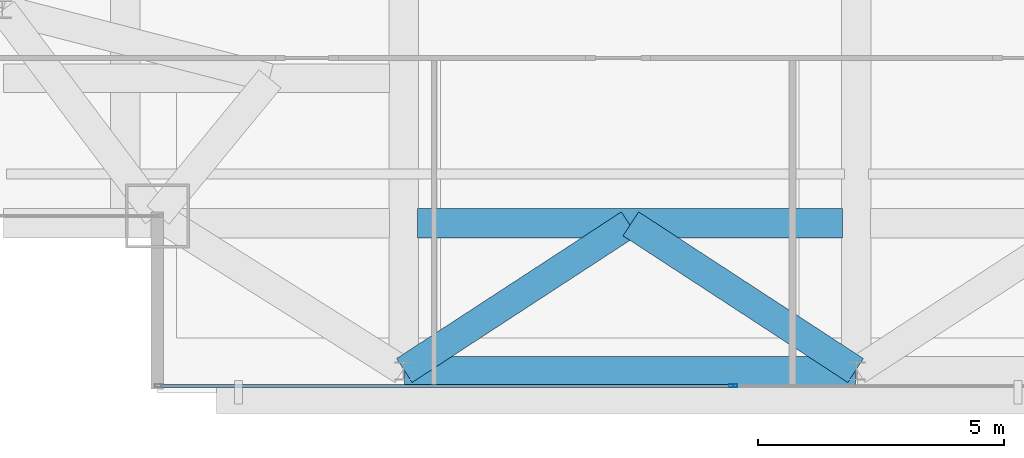
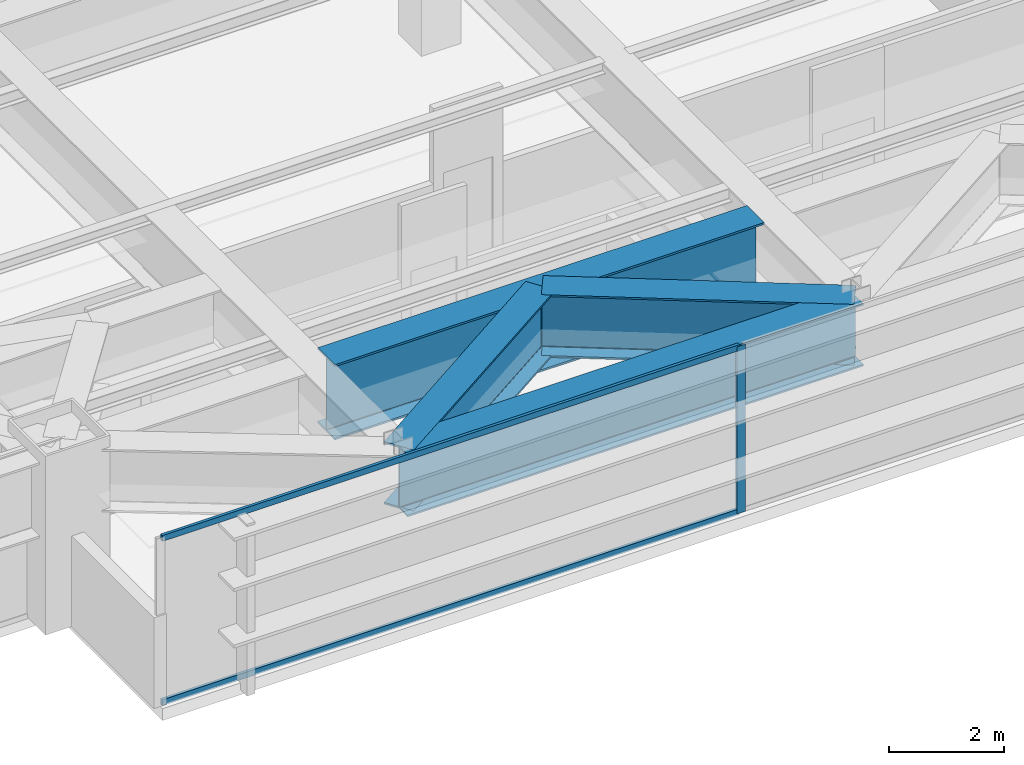
# One storey, part 5 of 26: 4 beams, 3 members, 1 element without a shape of its own.
"""IFC4 building model written with IfcOpenShell, lengths in metres."""

from ifc_helpers import new_model, si_unit, direction, frame, origin, origin_2d, place, context, subcontext, project, spatial, hollow_rectangle, i_section, extrude, source, transform, mapped, material, layer, layer_set, material_profile, profile_set, type_object, type_shapes, element, aggregate, save


model = new_model("IFC4")

# Units and contexts
model_context = context("Model", 3, precision=1e-05, world=origin(), true_north=direction((0.0, 1.0)))
body_context = subcontext(model_context, "Body", "Model", "MODEL_VIEW")
ifc_project = project(units=[si_unit("LENGTHUNIT", "METRE"), si_unit("AREAUNIT", "SQUARE_METRE"), si_unit("VOLUMEUNIT", "CUBIC_METRE"), si_unit("PLANEANGLEUNIT", "RADIAN"), si_unit("MASSUNIT", "GRAM", prefix="KILO")], contexts=[model_context])

# Site, building, storey
site_placement = place(None, origin())
site = spatial("IfcSite", under=ifc_project, at=site_placement, CompositionType="ELEMENT")
building_placement = place(site_placement, origin())
building = spatial("IfcBuilding", under=site, at=building_placement, Name="Varnel Quay Broadcast Tower", CompositionType="ELEMENT")
storey_placement = place(building_placement, frame((0.0, 0.0, 196.0)))
storey = spatial("IfcBuildingStorey", under=building, at=storey_placement, Name="L48", CompositionType="ELEMENT", Elevation=196.0)

# Beams
ifc_material_1 = material(Name="Structural Steel CSA G40.21 350WT", Category="steel")
ifc_material_profile_1 = material_profile(ifc_material_1, i_section(OverallWidth=0.580078125, OverallDepth=1.330078125, WebThickness=0.02197265625, FlangeThickness=0.0380859375, FilletRadius=0.02001953125, at=origin_2d()), Name="WWF1330X535")
ifc_profile_set_1 = profile_set([ifc_material_profile_1], Name="Structural Steel CSA G40.21 350WT")
beam_type_1 = type_object("IfcBeamType", Name="Girder_WWF1330X535", PredefinedType="BEAM", material=ifc_profile_set_1)
shared_shape_1 = source(origin(), body_context, "Body", "SweptSolid", [
    extrude(i_section(OverallWidth=0.580078125, OverallDepth=1.330078125, WebThickness=0.02197265625, FlangeThickness=0.0380859375, FilletRadius=0.02001953125, at=origin_2d()), origin(), (0.0, 0.0, 1.0), 9.159912109375),
])
beam_1_placement = place(storey_placement, frame((15.6201171875, 7.64990234375, 2.885009765625), z_axis=(1.0, 0.0, 0.0), x_axis=(0.0, 1.0, 0.0)))
element("IfcBeam", 1, at=beam_1_placement, inside=storey, type_object=beam_type_1, Name="L48 Perimeter Transfer Spine TC-S1-TC-S2", PredefinedType="BEAM", context=body_context, shape_type="MappedRepresentation", body=[
    mapped(shared_shape_1, transform((0.0, 0.0, 0.0), x_axis=(1.0, 0.0, 0.0), y_axis=(0.0, 1.0, 0.0), z_axis=(0.0, 0.0, 1.0), scale=1.0)),
])
ifc_material_profile_2 = material_profile(ifc_material_1, i_section(OverallWidth=0.60009765625, OverallDepth=1.60009765625, WebThickness=0.02392578125, FlangeThickness=0.0419921875, FilletRadius=0.02197265625, at=origin_2d()), Name="WWF1600X620")
ifc_profile_set_2 = profile_set([ifc_material_profile_2], Name="Structural Steel CSA G40.21 350WT")
beam_type_2 = type_object("IfcBeamType", Name="Girder_WWF1600X620", PredefinedType="BEAM", material=ifc_profile_set_2)
shared_shape_2 = source(origin(), body_context, "Body", "SweptSolid", [
    extrude(i_section(OverallWidth=0.60009765625, OverallDepth=1.60009765625, WebThickness=0.02392578125, FlangeThickness=0.0419921875, FilletRadius=0.02197265625, at=origin_2d()), origin(), (0.0, 0.0, 1.0), 8.6298828125),
])
type_shapes(beam_type_2, [shared_shape_2])
beam_2_placement = place(storey_placement, frame((15.885009765625, 10.64990234375, 2.75), z_axis=(1.0, 0.0, 0.0), x_axis=(0.0, 1.0, 0.0)))
element("IfcBeam", 2, at=beam_2_placement, inside=storey, type_object=beam_type_2, Name="L48 Setback South Transfer Header 2", PredefinedType="BEAM", context=body_context, shape_type="MappedRepresentation", body=[
    mapped(shared_shape_2, transform((0.0, 0.0, 0.0), x_axis=(1.0, 0.0, 0.0), y_axis=(0.0, 1.0, 0.0), z_axis=(0.0, 0.0, 1.0), scale=1.0)),
])
shared_shape_3 = source(origin(), body_context, "Body", "SweptSolid", [
    extrude(i_section(OverallWidth=0.580078125, OverallDepth=1.330078125, WebThickness=0.02197265625, FlangeThickness=0.0380859375, FilletRadius=0.02001953125, at=origin_2d()), origin(), (0.0, 0.0, 1.0), 5.451904296875),
])
type_shapes(beam_type_1, [shared_shape_1, shared_shape_3])
for number, where, z_axis, x_axis, name in (
    (3, (15.61669921875, 7.660888671875, 2.885009765625), (0.837595451539, 0.546291002637, 0.0), (-0.546291002637, 0.837595451539, 0.0), "L48 Nodal Transfer Tie TC-S1-TC-S1"),
    (4, (24.783203125, 7.660888671875, 2.885009765625), (-0.837595451539, 0.546291002637, 0.0), (-0.546291002637, -0.837595451539, 0.0), "L48 Nodal Transfer Tie TC-S1-TC-S2"),
):
    element("IfcBeam", number, at=place(storey_placement, frame(where, z_axis=z_axis, x_axis=x_axis)), inside=storey, type_object=beam_type_1, Name=name, PredefinedType="BEAM", context=body_context, shape_type="MappedRepresentation", body=[
        mapped(shared_shape_3, transform((0.0, 0.0, 0.0), x_axis=(1.0, 0.0, 0.0), y_axis=(0.0, 1.0, 0.0), z_axis=(0.0, 0.0, 1.0), scale=1.0)),
    ])

# Curtain wall, members
ifc_material_2 = material(Name="Anodised Bronze Aluminium 6063-T6", Category="aluminium")
ifc_layer = layer(ifc_material_2, 0.18994140625, Name="Anodised Bronze Aluminium 6063-T6")
ifc_layer_set = layer_set([ifc_layer], Name="Anodised Bronze Aluminium 6063-T6")
curtain_wall_type = type_object("IfcCurtainWallType", Name="CW_UpperTower", PredefinedType="NOTDEFINED", material=ifc_layer_set)
curtain_wall_placement = place(storey_placement, origin())
curtain_wall = element("IfcCurtainWall", 5, at=curtain_wall_placement, inside=storey, type_object=curtain_wall_type, Name="L48 South Unitised Curtain Wall 1", PredefinedType="NOTDEFINED")
ifc_material_profile_3 = material_profile(ifc_material_2, hollow_rectangle(XDim=0.06494140625, YDim=0.1650390625, WallThickness=0.00341796875, at=origin_2d()), Name="ALU65X165X3.5")
ifc_profile_set_3 = profile_set([ifc_material_profile_3], Name="Anodised Bronze Aluminium 6063-T6")
member_type_1 = type_object("IfcMemberType", Name="Mull_CWS-03", PredefinedType="MULLION", material=ifc_profile_set_3)
shared_shape_4 = source(origin(), body_context, "Body", "SweptSolid", [
    extrude(hollow_rectangle(XDim=0.06494140625, YDim=0.1650390625, WallThickness=0.00341796875, at=origin_2d()), origin(), (0.0, 0.0, 1.0), 3.550048828125),
])
type_shapes(member_type_1, [shared_shape_4])
member_1_placement = place(storey_placement, frame((22.300048828125, 7.35009765625, 0.0), z_axis=(0.0, 0.0, 1.0), x_axis=(0.0, 1.0, 0.0)))
member_1 = element("IfcMember", 6, at=member_1_placement, type_object=member_type_1, Name="CWS-03 mullion 2", PredefinedType="MULLION", context=body_context, shape_type="MappedRepresentation", body=[
    mapped(shared_shape_4, transform((0.0, 0.0, 0.0), x_axis=(1.0, 0.0, 0.0), y_axis=(0.0, 1.0, 0.0), z_axis=(0.0, 0.0, 1.0), scale=1.0)),
])
ifc_material_profile_4 = material_profile(ifc_material_2, hollow_rectangle(XDim=0.06005859375, YDim=0.125, WallThickness=0.0029296875, at=origin_2d()), Name="ALU60X125X3")
ifc_profile_set_4 = profile_set([ifc_material_profile_4], Name="Anodised Bronze Aluminium 6063-T6")
member_type_2 = type_object("IfcMemberType", Name="Tran_CWS-03", PredefinedType="USERDEFINED", material=ifc_profile_set_4)
shared_shape_5 = source(origin(), body_context, "Body", "SweptSolid", [
    extrude(hollow_rectangle(XDim=0.06005859375, YDim=0.125, WallThickness=0.0029296875, at=origin_2d()), origin(), (0.0, 0.0, 1.0), 11.6025390625),
])
type_shapes(member_type_2, [shared_shape_5])
member_2_placement = place(storey_placement, frame((10.6650390625, 7.35009765625, 0.030029296875), z_axis=(1.0, 0.0, 0.0), x_axis=(0.0, 1.0, 0.0)))
member_2 = element("IfcMember", 7, at=member_2_placement, type_object=member_type_2, Name="CWS-03 transom 1.1", ObjectType="TRANSOM", PredefinedType="USERDEFINED", context=body_context, shape_type="MappedRepresentation", body=[
    mapped(shared_shape_5, transform((0.0, 0.0, 0.0), x_axis=(1.0, 0.0, 0.0), y_axis=(0.0, 1.0, 0.0), z_axis=(0.0, 0.0, 1.0), scale=1.0)),
])
member_3_placement = place(storey_placement, frame((10.6650390625, 7.35009765625, 3.52001953125), z_axis=(1.0, 0.0, 0.0), x_axis=(0.0, 1.0, 0.0)))
member_3 = element("IfcMember", 8, at=member_3_placement, type_object=member_type_2, Name="CWS-03 transom 1.2", ObjectType="TRANSOM", PredefinedType="USERDEFINED", context=body_context, shape_type="MappedRepresentation", body=[
    mapped(shared_shape_5, transform((0.0, 0.0, 0.0), x_axis=(1.0, 0.0, 0.0), y_axis=(0.0, 1.0, 0.0), z_axis=(0.0, 0.0, 1.0), scale=1.0)),
])
aggregate(curtain_wall, [member_1, member_2, member_3])

save(model, "model.ifc")
